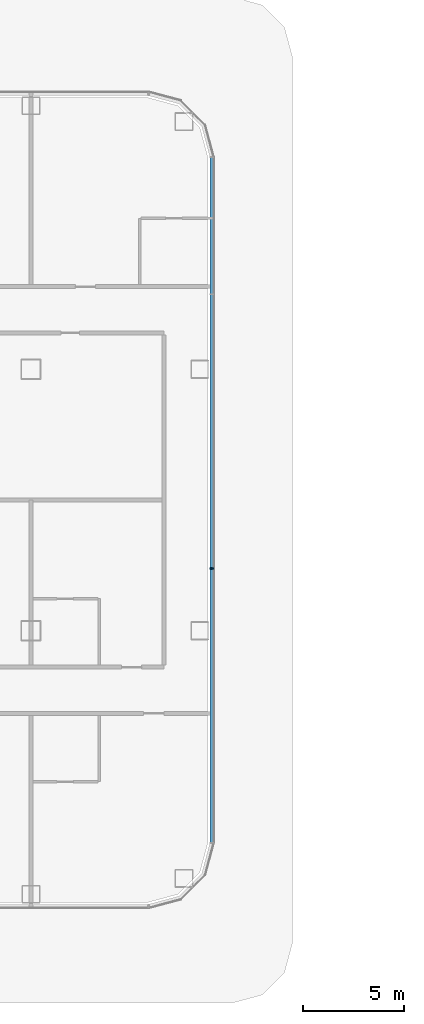
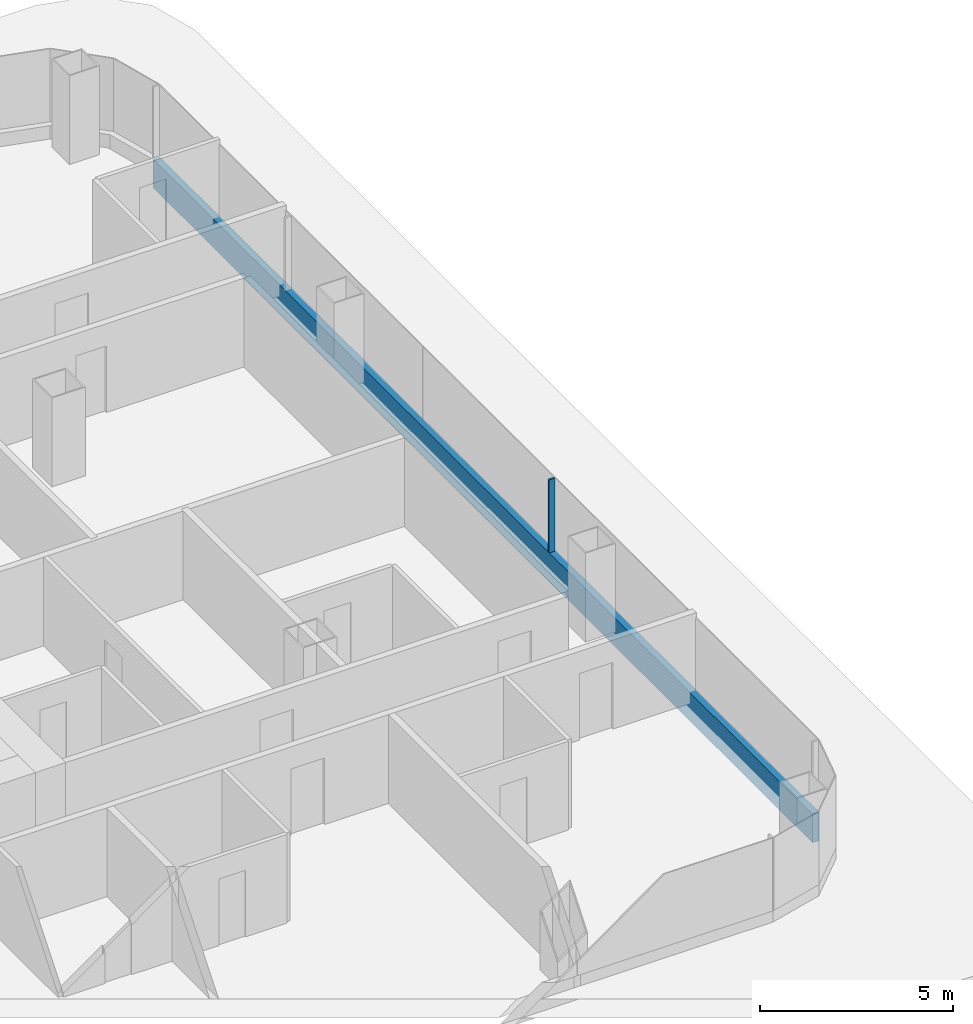
# One storey, part 11 of 42: 2 members, 1 element without a shape of its own.
"""IFC4 building model written with IfcOpenShell, lengths in metres."""

from ifc_helpers import new_model, si_unit, direction, frame, origin, origin_2d, place, context, subcontext, project, spatial, rectangle, extrude, material, layer, layer_set, material_profile, profile_set, type_object, element, aggregate, save


model = new_model("IFC4")

# Units and contexts
model_context = context("Model", 3, precision=1e-05, world=origin(), true_north=direction((0.0, 1.0)))
body_context = subcontext(model_context, "Body", "Model", "MODEL_VIEW")
ifc_project = project(units=[si_unit("LENGTHUNIT", "METRE"), si_unit("AREAUNIT", "SQUARE_METRE"), si_unit("VOLUMEUNIT", "CUBIC_METRE"), si_unit("PLANEANGLEUNIT", "RADIAN"), si_unit("MASSUNIT", "GRAM", prefix="KILO")], contexts=[model_context])

# Site, building, storey
site_placement = place(None, origin())
site = spatial("IfcSite", under=ifc_project, at=site_placement, CompositionType="ELEMENT")
building_placement = place(site_placement, origin())
building = spatial("IfcBuilding", under=site, at=building_placement, Name="Hakoniwa Tower and Hamabe Station Hall", CompositionType="ELEMENT")
storey_placement = place(building_placement, frame((0.0, 0.0, 19.800048828125)))
storey = spatial("IfcBuildingStorey", under=building, at=storey_placement, Name="L04", CompositionType="ELEMENT", Elevation=19.800048828125)

# Curtain wall, members
ifc_material_1 = material(Name="Dark low-e laminated glass", Category="glass")
ifc_layer = layer(ifc_material_1, 0.199951171875)
ifc_layer_set = layer_set([ifc_layer], Name="CW-1 UNITISED GUEST")
curtain_wall_type = type_object("IfcCurtainWallType", Name="CW-1 UNITISED GUEST", PredefinedType="NOTDEFINED", material=ifc_layer_set)
curtain_wall_placement = place(storey_placement, origin())
curtain_wall = element("IfcCurtainWall", 1, at=curtain_wall_placement, inside=storey, type_object=curtain_wall_type, Name="CW-1 curtain wall", PredefinedType="NOTDEFINED")
ifc_material_2 = material(Name="Aluminium 6063-T5 black anodised", Category="aluminium")
ifc_material_profile_1 = material_profile(ifc_material_2, rectangle(XDim=0.199951171875, YDim=0.89990234375, at=origin_2d()), Name="CW SLAB-EDGE BAND 900X200")
ifc_profile_set_1 = profile_set([ifc_material_profile_1], Name="Aluminium 6063-T5 black anodised")
member_type_1 = type_object("IfcMemberType", Name="CW SLAB-EDGE BAND 900X200", PredefinedType="USERDEFINED", material=ifc_profile_set_1)
member_1_placement = place(storey_placement, frame((51.0, -17.03955078125, -0.10009765625), z_axis=(0.0, 1.0, 0.0), x_axis=(-1.0, 0.0, 0.0)))
member_1 = element("IfcMember", 2, at=member_1_placement, type_object=member_type_1, Name="CW-1 transom", ObjectType="TRANSOM", PredefinedType="USERDEFINED", context=body_context, shape_type="SweptSolid", body=[
    extrude(rectangle(XDim=0.199951171875, YDim=0.89990234375, at=origin_2d()), origin(), (0.0, 0.0, 1.0), 34.0791015625),
])
ifc_material_3 = material(Name="Aluminium 6063-T5 black anodised", Category="aluminium")
ifc_material_profile_2 = material_profile(ifc_material_3, rectangle(XDim=0.06005859375, YDim=0.179931640625, at=origin_2d()), Name="CW-1 MULLION 60X180")
ifc_profile_set_2 = profile_set([ifc_material_profile_2], Name="Aluminium 6063-T5 black anodised")
member_type_2 = type_object("IfcMemberType", Name="CW-1 MULLION 60X180", PredefinedType="MULLION", material=ifc_profile_set_2)
member_2_placement = place(storey_placement, frame((50.98193359375, -3.407958984375, 0.349853515625), z_axis=(0.0, 0.0, 1.0), x_axis=(0.0, 1.0, 0.0)))
member_2 = element("IfcMember", 3, at=member_2_placement, type_object=member_type_2, Name="CW-1 mullion", PredefinedType="MULLION", context=body_context, shape_type="SweptSolid", body=[
    extrude(rectangle(XDim=0.06005859375, YDim=0.179931640625, at=origin_2d()), origin(), (0.0, 0.0, 1.0), 2.300048828125),
])
aggregate(curtain_wall, [member_2, member_1])

save(model, "model.ifc")
